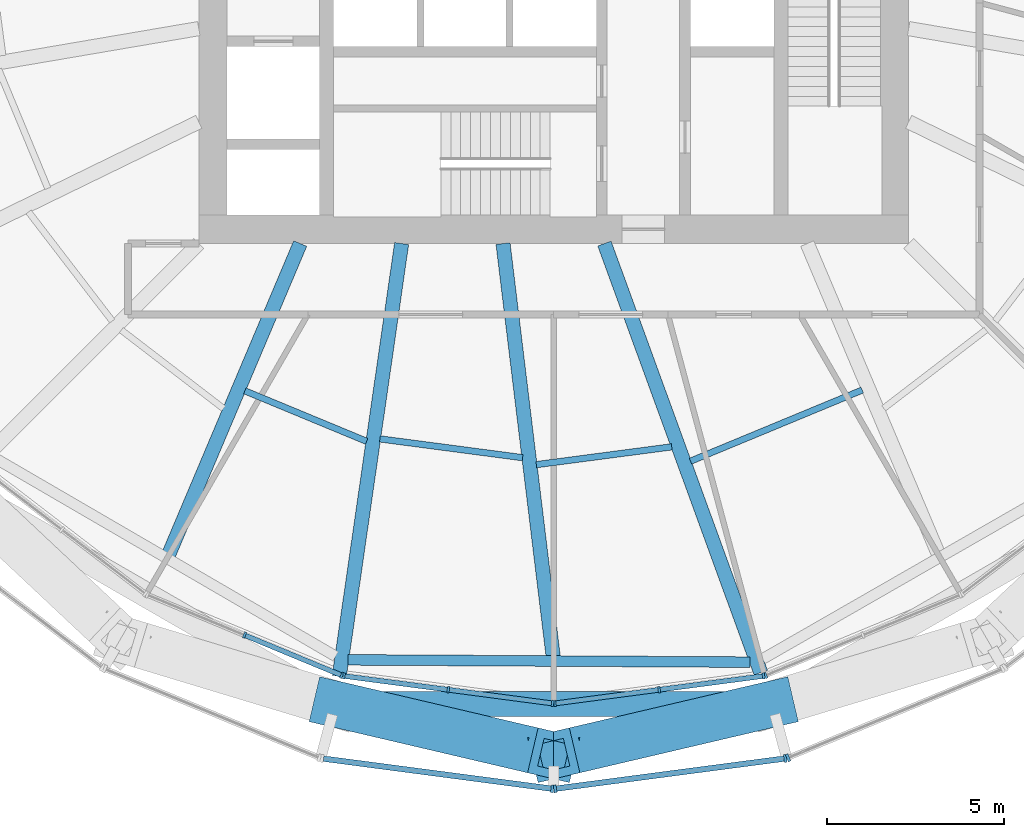
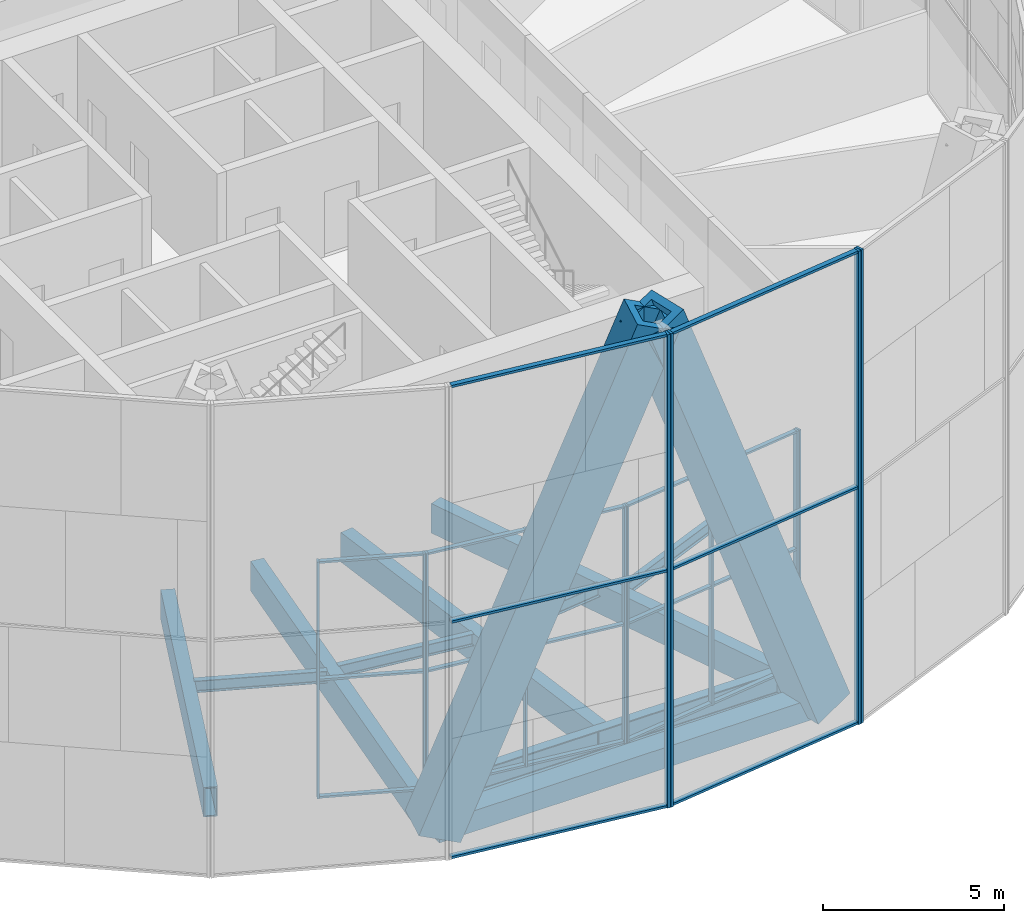
# One storey, part 2 of 22: 36 members, 10 beams, 7 elements without a shape of their own.
"""IFC4 building model written with IfcOpenShell, lengths in metres."""

from ifc_helpers import new_model, si_unit, direction, frame, origin, origin_2d, place, context, subcontext, project, spatial, rectangle, hollow_rectangle, i_section, extrude, material, material_profile, profile_set, type_object, element, aggregate, save


model = new_model("IFC4")

# Units and contexts
model_context = context("Model", 3, precision=1e-05, world=origin(), true_north=direction((0.0, 1.0)))
body_context = subcontext(model_context, "Body", "Model", "MODEL_VIEW")
ifc_project = project(units=[si_unit("LENGTHUNIT", "METRE"), si_unit("AREAUNIT", "SQUARE_METRE"), si_unit("VOLUMEUNIT", "CUBIC_METRE"), si_unit("PLANEANGLEUNIT", "RADIAN"), si_unit("MASSUNIT", "GRAM", prefix="KILO")], contexts=[model_context])

# Site, building, storey
site_placement = place(None, origin())
site = spatial("IfcSite", under=ifc_project, at=site_placement, CompositionType="ELEMENT")
building_placement = place(site_placement, origin())
building = spatial("IfcBuilding", under=site, at=building_placement, Name="Golbaran Civic Tower", CompositionType="ELEMENT")
storey_placement = place(building_placement, frame((0.0, 0.0, 37.0)))
storey = spatial("IfcBuildingStorey", under=building, at=storey_placement, Name="L08", CompositionType="ELEMENT", Elevation=37.0)

# Members
ifc_material_1 = material(Name="Steel S355", Category="steel")
ifc_material_profile_1 = material_profile(ifc_material_1, hollow_rectangle(XDim=1.300048828125, YDim=1.300048828125, WallThickness=0.25, at=origin_2d()), Name="BOX 1300x1300x250")
ifc_profile_set_1 = profile_set([ifc_material_profile_1], Name="Steel S355")
member_type_1 = type_object("IfcMemberType", Name="DIAGRID DIAGONAL BOX 1300x1300x250", PredefinedType="BRACE", material=ifc_profile_set_1)
for number, where, z_axis, x_axis, name in (
    (1, (-6.156005859375, -22.974609375, -0.7099609375), (0.357826251971, -0.083783707779, 0.930021861953), (0.227980273435, 0.97366575113, 0.0), "Diagonal D01-08R L08-L12"),
    (2, (6.156005859375, -22.974609375, -0.7099609375), (-0.357826251971, -0.083783707779, 0.930021861953), (0.227980273435, -0.97366575113, 0.0), "Diagonal D01-09L L08-L12"),
):
    element("IfcMember", number, at=place(storey_placement, frame(where, z_axis=z_axis, x_axis=x_axis)), inside=storey, type_object=member_type_1, Name=name, PredefinedType="BRACE", context=body_context, shape_type="SweptSolid", body=[
        extrude(hollow_rectangle(XDim=1.300048828125, YDim=1.300048828125, WallThickness=0.25, at=origin_2d()), origin(), (0.0, 0.0, 1.0), 17.203857421875),
    ])

# Beams
ifc_material_profile_2 = material_profile(ifc_material_1, hollow_rectangle(XDim=0.699951171875, YDim=0.699951171875, WallThickness=0.080078125, at=origin_2d()), Name="BOX 700x700x80")
ifc_profile_set_2 = profile_set([ifc_material_profile_2], Name="Steel S355")
beam_type_1 = type_object("IfcBeamType", Name="DIAGRID RING TIE BOX 700x700x80", PredefinedType="BEAM", material=ifc_profile_set_2)
beam_1_placement = place(storey_placement, frame((-6.156005859375, -22.974609375, -0.7099609375), z_axis=(1.0, 0.0, 0.0), x_axis=(0.0, 1.0, 0.0)))
element("IfcBeam", 3, at=beam_1_placement, inside=storey, type_object=beam_type_1, Name="Ring tie 255.00 L08", PredefinedType="BEAM", context=body_context, shape_type="SweptSolid", body=[
    extrude(hollow_rectangle(XDim=0.699951171875, YDim=0.699951171875, WallThickness=0.080078125, at=origin_2d()), origin(), (0.0, 0.0, 1.0), 12.31201171875),
])
ifc_material_profile_3 = material_profile(ifc_material_1, i_section(OverallWidth=0.300048828125, OverallDepth=0.800048828125, WebThickness=0.017578125, FlangeThickness=0.032958984375, FilletRadius=0.030029296875, at=origin_2d()), Name="HEB 800")
ifc_profile_set_3 = profile_set([ifc_material_profile_3], Name="Steel S355")
beam_type_2 = type_object("IfcBeamType", Name="EDGE BEAM HEB 800", PredefinedType="BEAM", material=ifc_profile_set_3)
beam_2_placement = place(storey_placement, frame((-5.794677734375, -21.728759765625, -0.60009765625), z_axis=(0.999983570269, -0.005732293811, 0.0), x_axis=(0.005732293811, 0.999983570269, 0.0)))
element("IfcBeam", 4, at=beam_2_placement, inside=storey, type_object=beam_type_2, Name="Edge beam 255.00 L08", PredefinedType="BEAM", context=body_context, shape_type="SweptSolid", body=[
    extrude(i_section(OverallWidth=0.300048828125, OverallDepth=0.800048828125, WebThickness=0.017578125, FlangeThickness=0.032958984375, FilletRadius=0.030029296875, at=origin_2d()), origin(), (0.0, 0.0, 1.0), 11.3291015625),
])
ifc_material_profile_4 = material_profile(ifc_material_1, i_section(OverallWidth=0.179931640625, OverallDepth=0.39990234375, WebThickness=0.008544921875, FlangeThickness=0.013427734375, FilletRadius=0.02099609375, at=origin_2d()), Name="IPE 400")
ifc_profile_set_4 = profile_set([ifc_material_profile_4], Name="Steel S355")
beam_type_3 = type_object("IfcBeamType", Name="FLOOR INFILL BEAM IPE 400", PredefinedType="BEAM", material=ifc_profile_set_4)
beam_3_placement = place(storey_placement, frame((-8.70263671875, -14.150390625, -0.39990234375), z_axis=(0.923870238658, -0.382705868941, 0.0), x_axis=(0.382705868941, 0.923870238658, 0.0)))
element("IfcBeam", 5, at=beam_3_placement, inside=storey, type_object=beam_type_3, Name="Infill beam 247.50 L08", PredefinedType="BEAM", context=body_context, shape_type="SweptSolid", body=[
    extrude(i_section(OverallWidth=0.179931640625, OverallDepth=0.39990234375, WebThickness=0.008544921875, FlangeThickness=0.013427734375, FilletRadius=0.02099609375, at=origin_2d()), origin(), (0.0, 0.0, 1.0), 3.714599609375),
])
beam_4_placement = place(storey_placement, frame((-4.897216796875, -15.503173828125, -0.39990234375), z_axis=(0.991443225184, -0.130538619713, 0.0), x_axis=(0.130538619713, 0.991443225184, 0.0)))
element("IfcBeam", 6, at=beam_4_placement, inside=storey, type_object=beam_type_3, Name="Infill beam 262.50 L08", PredefinedType="BEAM", context=body_context, shape_type="SweptSolid", body=[
    extrude(i_section(OverallWidth=0.179931640625, OverallDepth=0.39990234375, WebThickness=0.008544921875, FlangeThickness=0.013427734375, FilletRadius=0.02099609375, at=origin_2d()), origin(), (0.0, 0.0, 1.0), 4.0546875),
])
beam_5_placement = place(storey_placement, frame((-0.49072265625, -16.229248046875, -0.39990234375), z_axis=(0.99144435734, 0.130530020676, 0.0), x_axis=(-0.130530020676, 0.99144435734, 0.0)))
element("IfcBeam", 7, at=beam_5_placement, inside=storey, type_object=beam_type_3, Name="Infill beam 277.50 L08", PredefinedType="BEAM", context=body_context, shape_type="SweptSolid", body=[
    extrude(i_section(OverallWidth=0.179931640625, OverallDepth=0.39990234375, WebThickness=0.008544921875, FlangeThickness=0.013427734375, FilletRadius=0.02099609375, at=origin_2d()), origin(), (0.0, 0.0, 1.0), 3.847412109375),
])
beam_6_placement = place(storey_placement, frame((3.854248046875, -16.131591796875, -0.39990234375), z_axis=(0.923869625223, 0.382707349798, 0.0), x_axis=(-0.382707349798, 0.923869625223, 0.0)))
element("IfcBeam", 8, at=beam_6_placement, inside=storey, type_object=beam_type_3, Name="Infill beam 292.50 L08", PredefinedType="BEAM", context=body_context, shape_type="SweptSolid", body=[
    extrude(i_section(OverallWidth=0.179931640625, OverallDepth=0.39990234375, WebThickness=0.008544921875, FlangeThickness=0.013427734375, FilletRadius=0.02099609375, at=origin_2d()), origin(), (0.0, 0.0, 1.0), 5.235595703125),
])

# Curtain wall, members
ifc_material_2 = material(Name="Aluminium and glass", Category="aluminium")
curtain_wall_type_1 = type_object("IfcCurtainWallType", Name="INNER SKIN CURTAIN WALL", PredefinedType="NOTDEFINED", material=ifc_material_2)
curtain_wall_1_placement = place(storey_placement, origin())
curtain_wall_1 = element("IfcCurtainWall", 9, at=curtain_wall_1_placement, inside=storey, type_object=curtain_wall_type_1, Name="Inner skin L08 facet 17 CW1", ObjectType="INNER SKIN", PredefinedType="USERDEFINED")
ifc_material_3 = material(Name="Aluminium", Category="aluminium")
ifc_material_profile_5 = material_profile(ifc_material_3, rectangle(XDim=0.179931640625, YDim=0.06494140625, at=origin_2d()), Name="INNER SKIN CURTAIN WALL MULLION")
ifc_profile_set_5 = profile_set([ifc_material_profile_5], Name="Aluminium")
member_type_2 = type_object("IfcMemberType", Name="INNER SKIN CURTAIN WALL MULLION", PredefinedType="MULLION", material=ifc_profile_set_5)
member_1_placement = place(storey_placement, frame((-8.711669921875, -21.03173828125, 0.0), z_axis=(0.0, 0.0, 1.0), x_axis=(0.382683432365, 0.923879532511, 0.0)))
member_1 = element("IfcMember", 10, at=member_1_placement, type_object=member_type_2, Name="CW1 mullion 2", PredefinedType="MULLION", context=body_context, shape_type="SweptSolid", body=[
    extrude(rectangle(XDim=0.179931640625, YDim=0.06494140625, at=origin_2d()), origin(), (0.0, 0.0, 1.0), 8.0),
])
member_2_placement = place(storey_placement, frame((-5.97265625, -22.166259765625, 0.0), z_axis=(0.0, 0.0, 1.0), x_axis=(0.382683432365, 0.923879532511, 0.0)))
member_2 = element("IfcMember", 11, at=member_2_placement, type_object=member_type_2, Name="CW1 mullion 3", PredefinedType="MULLION", context=body_context, shape_type="SweptSolid", body=[
    extrude(rectangle(XDim=0.179931640625, YDim=0.06494140625, at=origin_2d()), origin(), (0.0, 0.0, 1.0), 8.0),
])

curtain_wall_2_placement = place(storey_placement, origin())
curtain_wall_2 = element("IfcCurtainWall", 12, at=curtain_wall_2_placement, inside=storey, type_object=curtain_wall_type_1, Name="Inner skin L08 facet 18 CW1", ObjectType="INNER SKIN", PredefinedType="USERDEFINED")
member_3_placement = place(storey_placement, frame((-5.910400390625, -22.182861328125, 0.0), z_axis=(0.0, 0.0, 1.0), x_axis=(0.130526192289, 0.991444861365, 0.0)))
member_3 = element("IfcMember", 13, at=member_3_placement, type_object=member_type_2, Name="CW1 mullion 1", PredefinedType="MULLION", context=body_context, shape_type="SweptSolid", body=[
    extrude(rectangle(XDim=0.179931640625, YDim=0.06494140625, at=origin_2d()), origin(), (0.0, 0.0, 1.0), 8.0),
])
member_4_placement = place(storey_placement, frame((-2.971435546875, -22.56982421875, 0.0), z_axis=(0.0, 0.0, 1.0), x_axis=(0.130526192289, 0.991444861365, 0.0)))
member_4 = element("IfcMember", 14, at=member_4_placement, type_object=member_type_2, Name="CW1 mullion 2", PredefinedType="MULLION", context=body_context, shape_type="SweptSolid", body=[
    extrude(rectangle(XDim=0.179931640625, YDim=0.06494140625, at=origin_2d()), origin(), (0.0, 0.0, 1.0), 8.0),
])
member_5_placement = place(storey_placement, frame((-0.0322265625, -22.956787109375, 0.0), z_axis=(0.0, 0.0, 1.0), x_axis=(0.130526192289, 0.991444861365, 0.0)))
member_5 = element("IfcMember", 15, at=member_5_placement, type_object=member_type_2, Name="CW1 mullion 3", PredefinedType="MULLION", context=body_context, shape_type="SweptSolid", body=[
    extrude(rectangle(XDim=0.179931640625, YDim=0.06494140625, at=origin_2d()), origin(), (0.0, 0.0, 1.0), 8.0),
])

curtain_wall_3_placement = place(storey_placement, origin())
curtain_wall_3 = element("IfcCurtainWall", 16, at=curtain_wall_3_placement, inside=storey, type_object=curtain_wall_type_1, Name="Inner skin L08 facet 19 CW1", ObjectType="INNER SKIN", PredefinedType="USERDEFINED")
member_6_placement = place(storey_placement, frame((0.0322265625, -22.956787109375, 0.0), z_axis=(0.0, 0.0, 1.0), x_axis=(-0.130526192289, 0.991444861365, 0.0)))
member_6 = element("IfcMember", 17, at=member_6_placement, type_object=member_type_2, Name="CW1 mullion 1", PredefinedType="MULLION", context=body_context, shape_type="SweptSolid", body=[
    extrude(rectangle(XDim=0.179931640625, YDim=0.06494140625, at=origin_2d()), origin(), (0.0, 0.0, 1.0), 8.0),
])
member_7_placement = place(storey_placement, frame((2.971435546875, -22.56982421875, 0.0), z_axis=(0.0, 0.0, 1.0), x_axis=(-0.130526192289, 0.991444861365, 0.0)))
member_7 = element("IfcMember", 18, at=member_7_placement, type_object=member_type_2, Name="CW1 mullion 2", PredefinedType="MULLION", context=body_context, shape_type="SweptSolid", body=[
    extrude(rectangle(XDim=0.179931640625, YDim=0.06494140625, at=origin_2d()), origin(), (0.0, 0.0, 1.0), 8.0),
])
member_8_placement = place(storey_placement, frame((5.910400390625, -22.182861328125, 0.0), z_axis=(0.0, 0.0, 1.0), x_axis=(-0.130526192289, 0.991444861365, 0.0)))
member_8 = element("IfcMember", 19, at=member_8_placement, type_object=member_type_2, Name="CW1 mullion 3", PredefinedType="MULLION", context=body_context, shape_type="SweptSolid", body=[
    extrude(rectangle(XDim=0.179931640625, YDim=0.06494140625, at=origin_2d()), origin(), (0.0, 0.0, 1.0), 8.0),
])

# Curtain wall, member
curtain_wall_4_placement = place(storey_placement, origin())
curtain_wall_4 = element("IfcCurtainWall", 20, at=curtain_wall_4_placement, inside=storey, type_object=curtain_wall_type_1, Name="Inner skin L08 facet 20 CW1", ObjectType="INNER SKIN", PredefinedType="USERDEFINED")
member_9_placement = place(storey_placement, frame((5.97265625, -22.166259765625, 0.0), z_axis=(0.0, 0.0, 1.0), x_axis=(-0.382683432365, 0.923879532511, 0.0)))
member_9 = element("IfcMember", 21, at=member_9_placement, type_object=member_type_2, Name="CW1 mullion 1", PredefinedType="MULLION", context=body_context, shape_type="SweptSolid", body=[
    extrude(rectangle(XDim=0.179931640625, YDim=0.06494140625, at=origin_2d()), origin(), (0.0, 0.0, 1.0), 8.0),
])
aggregate(curtain_wall_4, [member_9])

# Member
ifc_material_profile_6 = material_profile(ifc_material_3, rectangle(XDim=0.139892578125, YDim=0.06494140625, at=origin_2d()), Name="INNER SKIN CURTAIN WALL TRANSOM")
ifc_profile_set_6 = profile_set([ifc_material_profile_6], Name="Aluminium")
member_type_3 = type_object("IfcMemberType", Name="INNER SKIN CURTAIN WALL TRANSOM", PredefinedType="USERDEFINED", material=ifc_profile_set_6)
member_10_placement = place(storey_placement, frame((-8.681640625, -21.044189453125, 0.032470703125), z_axis=(0.923884456628, -0.382671544279, 0.0), x_axis=(0.382671544279, 0.923884456628, 0.0)))
member_10 = element("IfcMember", 22, at=member_10_placement, type_object=member_type_3, Name="CW1 transom 2.1", ObjectType="TRANSOM", PredefinedType="USERDEFINED", context=body_context, shape_type="SweptSolid", body=[
    extrude(rectangle(XDim=0.139892578125, YDim=0.06494140625, at=origin_2d()), origin(), (0.0, 0.0, 1.0), 2.899658203125),
])

member_11_placement = place(storey_placement, frame((-8.681640625, -21.044189453125, 4.0), z_axis=(0.923884456628, -0.382671544279, 0.0), x_axis=(0.382671544279, 0.923884456628, 0.0)))
member_11 = element("IfcMember", 23, at=member_11_placement, type_object=member_type_3, Name="CW1 transom 2.2", ObjectType="TRANSOM", PredefinedType="USERDEFINED", context=body_context, shape_type="SweptSolid", body=[
    extrude(rectangle(XDim=0.139892578125, YDim=0.06494140625, at=origin_2d()), origin(), (0.0, 0.0, 1.0), 2.899658203125),
])

member_12_placement = place(storey_placement, frame((-8.681640625, -21.044189453125, 7.967529296875), z_axis=(0.923884456628, -0.382671544279, 0.0), x_axis=(0.382671544279, 0.923884456628, 0.0)))
member_12 = element("IfcMember", 24, at=member_12_placement, type_object=member_type_3, Name="CW1 transom 2.3", ObjectType="TRANSOM", PredefinedType="USERDEFINED", context=body_context, shape_type="SweptSolid", body=[
    extrude(rectangle(XDim=0.139892578125, YDim=0.06494140625, at=origin_2d()), origin(), (0.0, 0.0, 1.0), 2.899658203125),
])

aggregate(curtain_wall_1, [member_1, member_2, member_10, member_11, member_12])

member_13_placement = place(storey_placement, frame((-5.87841796875, -22.18701171875, 0.032470703125), z_axis=(0.991436231249, -0.130591727785, 0.0), x_axis=(0.130591727785, 0.991436231249, 0.0)))
member_13 = element("IfcMember", 25, at=member_13_placement, type_object=member_type_3, Name="CW1 transom 1.1", ObjectType="TRANSOM", PredefinedType="USERDEFINED", context=body_context, shape_type="SweptSolid", body=[
    extrude(rectangle(XDim=0.139892578125, YDim=0.06494140625, at=origin_2d()), origin(), (0.0, 0.0, 1.0), 2.899658203125),
])

member_14_placement = place(storey_placement, frame((-5.87841796875, -22.18701171875, 4.0), z_axis=(0.991436231249, -0.130591727785, 0.0), x_axis=(0.130591727785, 0.991436231249, 0.0)))
member_14 = element("IfcMember", 26, at=member_14_placement, type_object=member_type_3, Name="CW1 transom 1.2", ObjectType="TRANSOM", PredefinedType="USERDEFINED", context=body_context, shape_type="SweptSolid", body=[
    extrude(rectangle(XDim=0.139892578125, YDim=0.06494140625, at=origin_2d()), origin(), (0.0, 0.0, 1.0), 2.899658203125),
])

member_15_placement = place(storey_placement, frame((-5.87841796875, -22.18701171875, 7.967529296875), z_axis=(0.991436231249, -0.130591727785, 0.0), x_axis=(0.130591727785, 0.991436231249, 0.0)))
member_15 = element("IfcMember", 27, at=member_15_placement, type_object=member_type_3, Name="CW1 transom 1.3", ObjectType="TRANSOM", PredefinedType="USERDEFINED", context=body_context, shape_type="SweptSolid", body=[
    extrude(rectangle(XDim=0.139892578125, YDim=0.06494140625, at=origin_2d()), origin(), (0.0, 0.0, 1.0), 2.899658203125),
])

member_16_placement = place(storey_placement, frame((-2.939208984375, -22.573974609375, 0.032470703125), z_axis=(0.991436231249, -0.130591727785, 0.0), x_axis=(0.130591727785, 0.991436231249, 0.0)))
member_16 = element("IfcMember", 28, at=member_16_placement, type_object=member_type_3, Name="CW1 transom 2.1", ObjectType="TRANSOM", PredefinedType="USERDEFINED", context=body_context, shape_type="SweptSolid", body=[
    extrude(rectangle(XDim=0.139892578125, YDim=0.06494140625, at=origin_2d()), origin(), (0.0, 0.0, 1.0), 2.899658203125),
])

member_17_placement = place(storey_placement, frame((-2.939208984375, -22.573974609375, 4.0), z_axis=(0.991436231249, -0.130591727785, 0.0), x_axis=(0.130591727785, 0.991436231249, 0.0)))
member_17 = element("IfcMember", 29, at=member_17_placement, type_object=member_type_3, Name="CW1 transom 2.2", ObjectType="TRANSOM", PredefinedType="USERDEFINED", context=body_context, shape_type="SweptSolid", body=[
    extrude(rectangle(XDim=0.139892578125, YDim=0.06494140625, at=origin_2d()), origin(), (0.0, 0.0, 1.0), 2.899658203125),
])

member_18_placement = place(storey_placement, frame((-2.939208984375, -22.573974609375, 7.967529296875), z_axis=(0.991436231249, -0.130591727785, 0.0), x_axis=(0.130591727785, 0.991436231249, 0.0)))
member_18 = element("IfcMember", 30, at=member_18_placement, type_object=member_type_3, Name="CW1 transom 2.3", ObjectType="TRANSOM", PredefinedType="USERDEFINED", context=body_context, shape_type="SweptSolid", body=[
    extrude(rectangle(XDim=0.139892578125, YDim=0.06494140625, at=origin_2d()), origin(), (0.0, 0.0, 1.0), 2.899658203125),
])

aggregate(curtain_wall_2, [member_3, member_4, member_5, member_13, member_14, member_15, member_16, member_17, member_18])

member_19_placement = place(storey_placement, frame((0.064453125, -22.95263671875, 0.032470703125), z_axis=(0.991436231249, 0.130591727785, 0.0), x_axis=(-0.130591727785, 0.991436231249, 0.0)))
member_19 = element("IfcMember", 31, at=member_19_placement, type_object=member_type_3, Name="CW1 transom 1.1", ObjectType="TRANSOM", PredefinedType="USERDEFINED", context=body_context, shape_type="SweptSolid", body=[
    extrude(rectangle(XDim=0.139892578125, YDim=0.06494140625, at=origin_2d()), origin(), (0.0, 0.0, 1.0), 2.899658203125),
])

member_20_placement = place(storey_placement, frame((0.064453125, -22.95263671875, 4.0), z_axis=(0.991436231249, 0.130591727785, 0.0), x_axis=(-0.130591727785, 0.991436231249, 0.0)))
member_20 = element("IfcMember", 32, at=member_20_placement, type_object=member_type_3, Name="CW1 transom 1.2", ObjectType="TRANSOM", PredefinedType="USERDEFINED", context=body_context, shape_type="SweptSolid", body=[
    extrude(rectangle(XDim=0.139892578125, YDim=0.06494140625, at=origin_2d()), origin(), (0.0, 0.0, 1.0), 2.899658203125),
])

member_21_placement = place(storey_placement, frame((0.064453125, -22.95263671875, 7.967529296875), z_axis=(0.991436231249, 0.130591727785, 0.0), x_axis=(-0.130591727785, 0.991436231249, 0.0)))
member_21 = element("IfcMember", 33, at=member_21_placement, type_object=member_type_3, Name="CW1 transom 1.3", ObjectType="TRANSOM", PredefinedType="USERDEFINED", context=body_context, shape_type="SweptSolid", body=[
    extrude(rectangle(XDim=0.139892578125, YDim=0.06494140625, at=origin_2d()), origin(), (0.0, 0.0, 1.0), 2.899658203125),
])

member_22_placement = place(storey_placement, frame((3.003662109375, -22.565673828125, 0.032470703125), z_axis=(0.991436231249, 0.130591727785, 0.0), x_axis=(-0.130591727785, 0.991436231249, 0.0)))
member_22 = element("IfcMember", 34, at=member_22_placement, type_object=member_type_3, Name="CW1 transom 2.1", ObjectType="TRANSOM", PredefinedType="USERDEFINED", context=body_context, shape_type="SweptSolid", body=[
    extrude(rectangle(XDim=0.139892578125, YDim=0.06494140625, at=origin_2d()), origin(), (0.0, 0.0, 1.0), 2.899658203125),
])

member_23_placement = place(storey_placement, frame((3.003662109375, -22.565673828125, 4.0), z_axis=(0.991436231249, 0.130591727785, 0.0), x_axis=(-0.130591727785, 0.991436231249, 0.0)))
member_23 = element("IfcMember", 35, at=member_23_placement, type_object=member_type_3, Name="CW1 transom 2.2", ObjectType="TRANSOM", PredefinedType="USERDEFINED", context=body_context, shape_type="SweptSolid", body=[
    extrude(rectangle(XDim=0.139892578125, YDim=0.06494140625, at=origin_2d()), origin(), (0.0, 0.0, 1.0), 2.899658203125),
])

member_24_placement = place(storey_placement, frame((3.003662109375, -22.565673828125, 7.967529296875), z_axis=(0.991436231249, 0.130591727785, 0.0), x_axis=(-0.130591727785, 0.991436231249, 0.0)))
member_24 = element("IfcMember", 36, at=member_24_placement, type_object=member_type_3, Name="CW1 transom 2.3", ObjectType="TRANSOM", PredefinedType="USERDEFINED", context=body_context, shape_type="SweptSolid", body=[
    extrude(rectangle(XDim=0.139892578125, YDim=0.06494140625, at=origin_2d()), origin(), (0.0, 0.0, 1.0), 2.899658203125),
])

aggregate(curtain_wall_3, [member_6, member_7, member_8, member_19, member_20, member_21, member_22, member_23, member_24])

# Curtain wall, member
curtain_wall_type_2 = type_object("IfcCurtainWallType", Name="OUTER SKIN TERRACOTTA SCREEN", PredefinedType="NOTDEFINED", material=ifc_material_2)
curtain_wall_5_placement = place(storey_placement, origin())
curtain_wall_5 = element("IfcCurtainWall", 37, at=curtain_wall_5_placement, inside=storey, type_object=curtain_wall_type_2, Name="Outer skin L08 facet 18 CW3", ObjectType="OUTER SKIN", PredefinedType="USERDEFINED")
ifc_material_profile_7 = material_profile(ifc_material_3, rectangle(XDim=0.219970703125, YDim=0.080078125, at=origin_2d()), Name="OUTER SKIN TERRACOTTA SCREEN MULLION")
ifc_profile_set_7 = profile_set([ifc_material_profile_7], Name="Aluminium")
member_type_4 = type_object("IfcMemberType", Name="OUTER SKIN TERRACOTTA SCREEN MULLION", PredefinedType="MULLION", material=ifc_profile_set_7)
member_25_placement = place(storey_placement, frame((-0.03955078125, -25.36083984375, -0.7099609375), z_axis=(0.0, 0.0, 1.0), x_axis=(0.130526192168, 0.991444861381, 0.0)))
member_25 = element("IfcMember", 38, at=member_25_placement, type_object=member_type_4, Name="CW3 mullion 2", PredefinedType="MULLION", context=body_context, shape_type="SweptSolid", body=[
    extrude(rectangle(XDim=0.219970703125, YDim=0.080078125, at=origin_2d()), origin(), (0.0, 0.0, 1.0), 16.0),
])

# Curtain wall, members
curtain_wall_6_placement = place(storey_placement, origin())
curtain_wall_6 = element("IfcCurtainWall", 39, at=curtain_wall_6_placement, inside=storey, type_object=curtain_wall_type_2, Name="Outer skin L08 facet 19 CW3", ObjectType="OUTER SKIN", PredefinedType="USERDEFINED")
member_26_placement = place(storey_placement, frame((0.03955078125, -25.36083984375, -0.7099609375), z_axis=(0.0, 0.0, 1.0), x_axis=(-0.130526192168, 0.991444861381, 0.0)))
member_26 = element("IfcMember", 40, at=member_26_placement, type_object=member_type_4, Name="CW3 mullion 1", PredefinedType="MULLION", context=body_context, shape_type="SweptSolid", body=[
    extrude(rectangle(XDim=0.219970703125, YDim=0.080078125, at=origin_2d()), origin(), (0.0, 0.0, 1.0), 16.0),
])
member_27_placement = place(storey_placement, frame((6.525634765625, -24.5068359375, -0.7099609375), z_axis=(0.0, 0.0, 1.0), x_axis=(-0.130526192168, 0.991444861381, 0.0)))
member_27 = element("IfcMember", 41, at=member_27_placement, type_object=member_type_4, Name="CW3 mullion 2", PredefinedType="MULLION", context=body_context, shape_type="SweptSolid", body=[
    extrude(rectangle(XDim=0.219970703125, YDim=0.080078125, at=origin_2d()), origin(), (0.0, 0.0, 1.0), 16.0),
])

# Curtain wall, member
curtain_wall_7_placement = place(storey_placement, origin())
curtain_wall_7 = element("IfcCurtainWall", 42, at=curtain_wall_7_placement, inside=storey, type_object=curtain_wall_type_2, Name="Outer skin L08 facet 20 CW3", ObjectType="OUTER SKIN", PredefinedType="USERDEFINED")
member_28_placement = place(storey_placement, frame((6.60205078125, -24.486328125, -0.7099609375), z_axis=(0.0, 0.0, 1.0), x_axis=(-0.382683432462, 0.923879532471, 0.0)))
member_28 = element("IfcMember", 43, at=member_28_placement, type_object=member_type_4, Name="CW3 mullion 1", PredefinedType="MULLION", context=body_context, shape_type="SweptSolid", body=[
    extrude(rectangle(XDim=0.219970703125, YDim=0.080078125, at=origin_2d()), origin(), (0.0, 0.0, 1.0), 16.0),
])
aggregate(curtain_wall_7, [member_28])

# Member
ifc_material_profile_8 = material_profile(ifc_material_3, rectangle(XDim=0.159912109375, YDim=0.080078125, at=origin_2d()), Name="OUTER SKIN TERRACOTTA SCREEN TRANSOM")
ifc_profile_set_8 = profile_set([ifc_material_profile_8], Name="Aluminium")
member_type_5 = type_object("IfcMemberType", Name="OUTER SKIN TERRACOTTA SCREEN TRANSOM", PredefinedType="USERDEFINED", material=ifc_profile_set_8)
member_29_placement = place(storey_placement, frame((-6.48583984375, -24.51220703125, -0.669921875), z_axis=(0.991448250321, -0.130500448024, 0.0), x_axis=(0.130500448024, 0.991448250321, 0.0)))
member_29 = element("IfcMember", 44, at=member_29_placement, type_object=member_type_5, Name="CW3 transom 1.1", ObjectType="TRANSOM", PredefinedType="USERDEFINED", context=body_context, shape_type="SweptSolid", body=[
    extrude(rectangle(XDim=0.159912109375, YDim=0.080078125, at=origin_2d()), origin(), (0.0, 0.0, 1.0), 6.461669921875),
])

member_30_placement = place(storey_placement, frame((-6.48583984375, -24.51220703125, 7.2900390625), z_axis=(0.991448250321, -0.130500448024, 0.0), x_axis=(0.130500448024, 0.991448250321, 0.0)))
member_30 = element("IfcMember", 45, at=member_30_placement, type_object=member_type_5, Name="CW3 transom 1.2", ObjectType="TRANSOM", PredefinedType="USERDEFINED", context=body_context, shape_type="SweptSolid", body=[
    extrude(rectangle(XDim=0.159912109375, YDim=0.080078125, at=origin_2d()), origin(), (0.0, 0.0, 1.0), 6.461669921875),
])

member_31_placement = place(storey_placement, frame((-6.48583984375, -24.51220703125, 15.25), z_axis=(0.991448250321, -0.130500448024, 0.0), x_axis=(0.130500448024, 0.991448250321, 0.0)))
member_31 = element("IfcMember", 46, at=member_31_placement, type_object=member_type_5, Name="CW3 transom 1.3", ObjectType="TRANSOM", PredefinedType="USERDEFINED", context=body_context, shape_type="SweptSolid", body=[
    extrude(rectangle(XDim=0.159912109375, YDim=0.080078125, at=origin_2d()), origin(), (0.0, 0.0, 1.0), 6.461669921875),
])

aggregate(curtain_wall_5, [member_25, member_29, member_30, member_31])

member_32_placement = place(storey_placement, frame((0.079345703125, -25.35546875, -0.669921875), z_axis=(0.991448250321, 0.130500448024, 0.0), x_axis=(-0.130500448024, 0.991448250321, 0.0)))
member_32 = element("IfcMember", 47, at=member_32_placement, type_object=member_type_5, Name="CW3 transom 1.1", ObjectType="TRANSOM", PredefinedType="USERDEFINED", context=body_context, shape_type="SweptSolid", body=[
    extrude(rectangle(XDim=0.159912109375, YDim=0.080078125, at=origin_2d()), origin(), (0.0, 0.0, 1.0), 6.461669921875),
])

member_33_placement = place(storey_placement, frame((0.079345703125, -25.35546875, 7.2900390625), z_axis=(0.991448250321, 0.130500448024, 0.0), x_axis=(-0.130500448024, 0.991448250321, 0.0)))
member_33 = element("IfcMember", 48, at=member_33_placement, type_object=member_type_5, Name="CW3 transom 1.2", ObjectType="TRANSOM", PredefinedType="USERDEFINED", context=body_context, shape_type="SweptSolid", body=[
    extrude(rectangle(XDim=0.159912109375, YDim=0.080078125, at=origin_2d()), origin(), (0.0, 0.0, 1.0), 6.461669921875),
])

member_34_placement = place(storey_placement, frame((0.079345703125, -25.35546875, 15.25), z_axis=(0.991448250321, 0.130500448024, 0.0), x_axis=(-0.130500448024, 0.991448250321, 0.0)))
member_34 = element("IfcMember", 49, at=member_34_placement, type_object=member_type_5, Name="CW3 transom 1.3", ObjectType="TRANSOM", PredefinedType="USERDEFINED", context=body_context, shape_type="SweptSolid", body=[
    extrude(rectangle(XDim=0.159912109375, YDim=0.080078125, at=origin_2d()), origin(), (0.0, 0.0, 1.0), 6.461669921875),
])

aggregate(curtain_wall_6, [member_26, member_27, member_32, member_33, member_34])

# Beams
ifc_material_profile_9 = material_profile(ifc_material_1, hollow_rectangle(XDim=0.39990234375, YDim=1.0, WallThickness=0.050048828125, at=origin_2d()), Name="BOX 1000x400x50")
ifc_profile_set_9 = profile_set([ifc_material_profile_9], Name="Steel S355")
beam_type_4 = type_object("IfcBeamType", Name="RADIAL FLOOR BEAM BOX 1000x400x50", PredefinedType="BEAM", material=ifc_profile_set_9)
beam_7_placement = place(storey_placement, frame((-4.28564453125, -10.0, -0.7099609375), z_axis=(-0.142691991177, -0.989767142137, 0.0), x_axis=(0.989767142137, -0.142691991177, 0.0)))
element("IfcBeam", 50, at=beam_7_placement, inside=storey, type_object=beam_type_4, Name="Radial beam 255.00 L08", PredefinedType="BEAM", context=body_context, shape_type="SweptSolid", body=[
    extrude(hollow_rectangle(XDim=0.39990234375, YDim=1.0, WallThickness=0.050048828125, at=origin_2d()), origin(), (0.0, 0.0, 1.0), 12.31884765625),
])
beam_8_placement = place(storey_placement, frame((1.428466796875, -10.0, -0.7099609375), z_axis=(0.342355468891, -0.939570504497, 0.0), x_axis=(0.939570504497, 0.342355468891, 0.0)))
element("IfcBeam", 51, at=beam_8_placement, inside=storey, type_object=beam_type_4, Name="Radial beam 285.00 L08", PredefinedType="BEAM", context=body_context, shape_type="SweptSolid", body=[
    extrude(hollow_rectangle(XDim=0.39990234375, YDim=1.0, WallThickness=0.050048828125, at=origin_2d()), origin(), (0.0, 0.0, 1.0), 12.8662109375),
])
ifc_material_profile_10 = material_profile(ifc_material_1, hollow_rectangle(XDim=0.39990234375, YDim=1.0, WallThickness=0.0400390625, at=origin_2d()), Name="BOX 1000x400x40")
ifc_profile_set_10 = profile_set([ifc_material_profile_10], Name="Steel S355")
beam_type_5 = type_object("IfcBeamType", Name="SECONDARY FLOOR BEAM BOX 1000x400x40", PredefinedType="BEAM", material=ifc_profile_set_10)
beam_9_placement = place(storey_placement, frame((-7.142822265625, -10.0, -0.7099609375), z_axis=(-0.389529136843, -0.92101414297, 0.0), x_axis=(0.92101414297, -0.389529136843, 0.0)))
element("IfcBeam", 52, at=beam_9_placement, inside=storey, type_object=beam_type_5, Name="Secondary beam 240.00 L08", PredefinedType="BEAM", context=body_context, shape_type="SweptSolid", body=[
    extrude(hollow_rectangle(XDim=0.39990234375, YDim=1.0, WallThickness=0.0400390625, at=origin_2d()), origin(), (0.0, 0.0, 1.0), 9.627685546875),
])
beam_10_placement = place(storey_placement, frame((-1.428466796875, -10.0, -0.7099609375), z_axis=(0.120562125968, -0.992705784098, 0.0), x_axis=(0.992705784098, 0.120562125968, 0.0)))
element("IfcBeam", 53, at=beam_10_placement, inside=storey, type_object=beam_type_5, Name="Secondary beam 270.00 L08", PredefinedType="BEAM", context=body_context, shape_type="SweptSolid", body=[
    extrude(hollow_rectangle(XDim=0.39990234375, YDim=1.0, WallThickness=0.0400390625, at=origin_2d()), origin(), (0.0, 0.0, 1.0), 11.848388671875),
])

save(model, "model.ifc")
